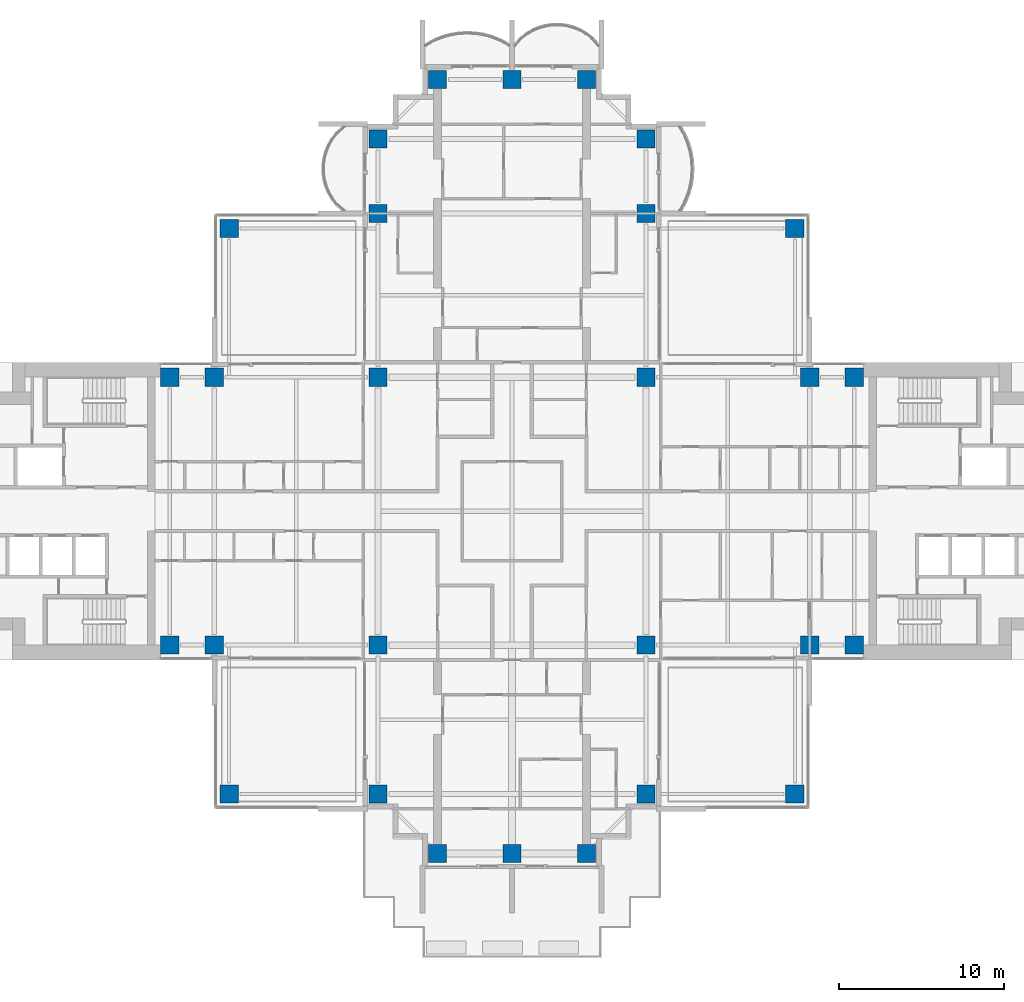
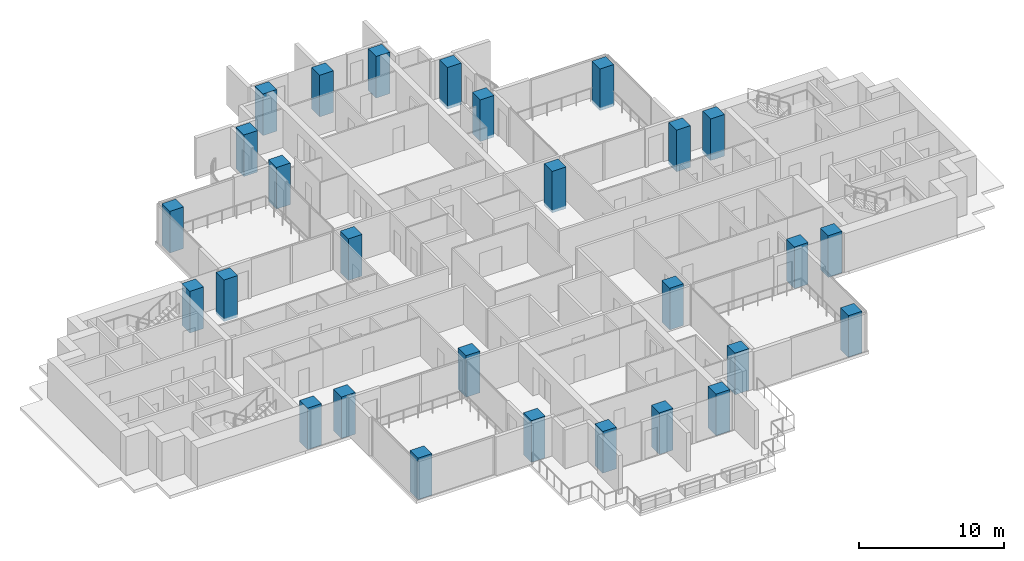
# One storey, part 1 of 20: 28 columns.
"""IFC4 building model written with IfcOpenShell, lengths in metres."""

import ifcopenshell
import ifcopenshell.guid

model = None  # the IFC model being written
_history = None  # IfcOwnerHistory: only IFC2X3 demands one
_inside = {}  # id of a spatial element -> (the spatial element, [elements in it])
_under = {}  # id of a project, library or spatial element -> (it, [spatial elements below it])
_declared = {}  # id of a project -> (the project, [libraries it declares])
_typed = {}  # id of a type object -> (the type object, [elements of that type])
_made_of = {}  # id of a material, layer set ... -> (it, [elements and type objects made of it])


def new_model(schema):
    """Start an empty IFC model of exactly this schema.

    Asked for "IFC4X3", IfcOpenShell would pick the latest addendum, in which some entities
    have other attributes; the version numbers below select the first issue.
    IFC2X3 requires an IfcOwnerHistory on every rooted entity: one is made here for all.
    """
    global model, _history
    if schema == "IFC4X3":
        model = ifcopenshell.file(schema_version=(4, 3, 0, 0))
    else:
        model = ifcopenshell.file(schema=schema)
    _inside.clear()
    _under.clear()
    _declared.clear()
    _typed.clear()
    _made_of.clear()
    _history = None
    if model.schema == "IFC2X3":
        org = make("IfcOrganization", Name="unknown")
        user = make(
            "IfcPersonAndOrganization",
            ThePerson=make("IfcPerson", FamilyName="unknown"),
            TheOrganization=org,
        )
        app = make(
            "IfcApplication",
            ApplicationDeveloper=org,
            Version="unknown",
            ApplicationFullName="unknown",
            ApplicationIdentifier="unknown",
        )
        _history = make(
            "IfcOwnerHistory",
            OwningUser=user,
            OwningApplication=app,
            ChangeAction="ADDED",
            CreationDate=0,
        )
    return model


def make(cls, **values):
    """One entity of the class cls with the attributes given. An attribute that is None is left unset."""
    return model.create_entity(
        cls, **{name: value for name, value in values.items() if value is not None}
    )


def rooted(cls, **values):
    """An entity with a GlobalId (a new one), such as an element, a storey or a relation."""
    return make(cls, GlobalId=ifcopenshell.guid.new(), OwnerHistory=_history, **values)


def si_unit(unit_type, name, prefix=None):
    """IfcSIUnit, for example si_unit("LENGTHUNIT", "METRE", prefix="MILLI")."""
    return make("IfcSIUnit", UnitType=unit_type, Prefix=prefix, Name=name)


def assignment(units):
    """IfcUnitAssignment: the units of a project."""
    return None if units is None else make("IfcUnitAssignment", Units=units)


def point(xyz):
    """IfcCartesianPoint."""
    return None if xyz is None else make("IfcCartesianPoint", Coordinates=xyz)


def direction(xyz):
    """IfcDirection."""
    return None if xyz is None else make("IfcDirection", DirectionRatios=xyz)


def frame(location, z_axis=None, x_axis=None):
    """IfcAxis2Placement3D, a coordinate frame: its origin and axes. An axis left out is left unset."""
    return make(
        "IfcAxis2Placement3D",
        Location=point(location),
        Axis=direction(z_axis),
        RefDirection=direction(x_axis),
    )


def frame_2d(location, x_axis=None):
    """IfcAxis2Placement2D, a coordinate frame in the plane: its origin and x axis."""
    return make(
        "IfcAxis2Placement2D", Location=point(location), RefDirection=direction(x_axis)
    )


def origin():
    """The frame at (0, 0, 0) with its axes left unset."""
    return frame((0.0, 0.0, 0.0))


def origin_2d():
    """The frame at (0, 0) in the plane with its x axis left unset."""
    return frame_2d((0.0, 0.0))


def place(relative_to, where):
    """IfcLocalPlacement: puts the frame where relative to a parent placement (None: the world)."""
    return make(
        "IfcLocalPlacement", PlacementRelTo=relative_to, RelativePlacement=where
    )


def context(
    kind, dimensions, precision=None, world=None, true_north=None, identifier=None
):
    """IfcGeometricRepresentationContext, for example the 3D "Model" context."""
    return make(
        "IfcGeometricRepresentationContext",
        ContextIdentifier=identifier,
        ContextType=kind,
        CoordinateSpaceDimension=dimensions,
        Precision=precision,
        WorldCoordinateSystem=world,
        TrueNorth=true_north,
    )


def subcontext(parent, identifier, kind, view, scale=None):
    """IfcGeometricRepresentationSubContext, for example "Body" below "Model"."""
    return make(
        "IfcGeometricRepresentationSubContext",
        ContextIdentifier=identifier,
        ContextType=kind,
        ParentContext=parent,
        TargetScale=scale,
        TargetView=view,
    )


def project(units=None, contexts=None):
    """IfcProject with its units and contexts."""
    return rooted(
        "IfcProject",
        Name="project",
        RepresentationContexts=contexts,
        UnitsInContext=assignment(units),
    )


def spatial(cls, under=None, at=None, **own):
    """A site, building, storey or space (cls), placed at a placement, below another one or the project."""
    s = rooted(cls, ObjectPlacement=at, **own)
    if under is not None:
        _under.setdefault(under.id(), (under, []))[1].append(s)
    return s


def profile(cls, at=None, kind="AREA", **sizes):
    """A parametric profile (cls). Its sizes go by their IFC names, for example OverallWidth=200.0."""
    return make(cls, ProfileType=kind, Position=at, **sizes)


def rectangle(**sizes):
    """IfcRectangleProfileDef."""
    return profile("IfcRectangleProfileDef", **sizes)


def extrude(swept, where, along, depth):
    """IfcExtrudedAreaSolid: the profile swept, set in the frame where, extruded along a direction by depth."""
    return make(
        "IfcExtrudedAreaSolid",
        SweptArea=swept,
        Position=where,
        ExtrudedDirection=direction(along),
        Depth=depth,
    )


def shape(context_of_items, identifier, shape_type, items):
    """IfcShapeRepresentation: the items that make up one representation, for example the "Body"."""
    return make(
        "IfcShapeRepresentation",
        ContextOfItems=context_of_items,
        RepresentationIdentifier=identifier,
        RepresentationType=shape_type,
        Items=items,
    )


def material(Name=None, Category=None):
    """IfcMaterial."""
    return make("IfcMaterial", Name=Name, Category=Category)


def material_profile(
    of_material, cross_section, Name=None, Category=None, Priority=None
):
    """IfcMaterialProfile: a cross section and its material."""
    return make(
        "IfcMaterialProfile",
        Name=Name,
        Material=of_material,
        Profile=cross_section,
        Priority=Priority,
        Category=Category,
    )


def profile_set(profiles, Name=None, composite=None):
    """IfcMaterialProfileSet."""
    return make(
        "IfcMaterialProfileSet",
        Name=Name,
        MaterialProfiles=profiles,
        CompositeProfile=composite,
    )


def made_of(thing, what):
    """Note that an element or type object is made of a material, layer set ...; save() writes the relation."""
    if what is not None:
        _made_of.setdefault(what.id(), (what, []))[1].append(thing)
    return thing


def type_object(cls, material=None, **own):
    """A type object (cls), such as IfcWallType, which elements share."""
    return made_of(rooted(cls, **own), material)


def element(
    cls,
    number,
    at=None,
    inside=None,
    cuts=None,
    type_object=None,
    material=None,
    context=None,
    identifier="Body",
    shape_type=None,
    held_by="IfcProductDefinitionShape",
    body=None,
    shapes=None,
    **own,
):
    """One element of the class cls, such as IfcWall. Its Tag is "e" and its number.

    at: its placement. inside: the storey or other place that contains it. cuts: it is an
    opening in that element (IfcRelVoidsElement). A single representation is given by context,
    identifier, shape_type and body (its items); several are given by shapes. held_by: the class
    of the entity that holds the representations. save() writes the other relations.
    """
    e = rooted(cls, Tag="e%d" % number, ObjectPlacement=at, **own)
    if body is not None:
        shapes = [shape(context, identifier, shape_type, body)]
    if shapes is not None:
        e.Representation = make(held_by, Representations=shapes)
    if inside is not None:
        _inside.setdefault(inside.id(), (inside, []))[1].append(e)
    if cuts is not None:
        rooted(
            "IfcRelVoidsElement", RelatingBuildingElement=cuts, RelatedOpeningElement=e
        )
    if type_object is not None:
        _typed.setdefault(type_object.id(), (type_object, []))[1].append(e)
    return made_of(e, material)


def aggregate(whole, parts):
    """IfcRelAggregates: a whole, such as a stair, and the parts it consists of."""
    return rooted("IfcRelAggregates", RelatingObject=whole, RelatedObjects=parts)


def save(model, path):
    """Write the relations noted so far, then the file.

    IfcRelAggregates (storeys below a building ...), IfcRelContainedInSpatialStructure (elements
    in a storey), IfcRelDefinesByType, IfcRelAssociatesMaterial and IfcRelDeclares: one each for
    every whole, place, type object, material and project.
    """
    for whole, parts in _under.values():
        aggregate(whole, parts)
    for where, things in _inside.values():
        rooted(
            "IfcRelContainedInSpatialStructure",
            RelatedElements=things,
            RelatingStructure=where,
        )
    for kind, things in _typed.values():
        rooted("IfcRelDefinesByType", RelatedObjects=things, RelatingType=kind)
    for what, things in _made_of.values():
        rooted("IfcRelAssociatesMaterial", RelatedObjects=things, RelatingMaterial=what)
    for by, libraries in _declared.values():
        rooted("IfcRelDeclares", RelatingContext=by, RelatedDefinitions=libraries)
    model.write(path)


model = new_model("IFC4")

# Units and contexts
model_context = context("Model", 3, precision=1e-05, world=origin(), true_north=direction((0.0, 1.0)))
body_context = subcontext(model_context, "Body", "Model", "MODEL_VIEW")
ifc_project = project(units=[si_unit("LENGTHUNIT", "METRE"), si_unit("AREAUNIT", "SQUARE_METRE"), si_unit("VOLUMEUNIT", "CUBIC_METRE"), si_unit("PLANEANGLEUNIT", "RADIAN"), si_unit("MASSUNIT", "GRAM", prefix="KILO")], contexts=[model_context])

# Site, building, storey
site_placement = place(None, origin())
site = spatial("IfcSite", under=ifc_project, at=site_placement, CompositionType="ELEMENT")
building_placement = place(site_placement, origin())
building = spatial("IfcBuilding", under=site, at=building_placement, Name="Perihelion Cross Residences", CompositionType="ELEMENT")
storey_placement = place(building_placement, frame((0.0, 0.0, 102.39990234375)))
storey = spatial("IfcBuildingStorey", under=building, at=storey_placement, Name="L23", CompositionType="ELEMENT", Elevation=102.39990234375)

# Columns
ifc_material = material(Name="Concrete C60/75", Category="concrete")
ifc_material_profile = material_profile(ifc_material, rectangle(XDim=1.10009765625, YDim=1.10009765625, at=origin_2d()), Name="RC 1100x1100")
ifc_profile_set = profile_set([ifc_material_profile], Name="Concrete C60/75")
column_type = type_object("IfcColumnType", Name="Reinforced concrete column 1100x1100 C60/75", PredefinedType="COLUMN", material=ifc_profile_set)
for number, where, z_axis, x_axis, name in (
    (1, (-20.699951171875, -8.10009765625, -0.25), (0.0, 0.0, 1.0), (1.0, 0.0, 0.0), "Column C017 L23 no. 1"),
    (2, (-20.699951171875, 8.10009765625, -0.25), (0.0, 0.0, 1.0), (1.0, 0.0, 0.0), "Column C010 L23 no. 1"),
    (3, (-18.0, -8.10009765625, -0.25), (0.0, 0.0, 1.0), (1.0, 0.0, 0.0), "Column C018 L23 no. 1"),
    (4, (-18.0, 8.10009765625, -0.25), (0.0, 0.0, 1.0), (1.0, 0.0, 0.0), "Column C011 L23 no. 1"),
    (5, (-8.10009765625, -17.10009765625, -0.25), (0.0, 0.0, 1.0), (1.0, 0.0, 0.0), "Column C031 L23 no. 1"),
    (6, (-8.10009765625, -8.10009765625, -0.25), (0.0, 0.0, 1.0), (1.0, 0.0, 0.0), "Column C019 L23 no. 1"),
    (7, (-8.10009765625, 8.10009765625, -0.25), (0.0, 0.0, 1.0), (1.0, 0.0, 0.0), "Column C012 L23 no. 1"),
    (8, (-8.10009765625, 18.0, -0.25), (0.0, 0.0, 1.0), (1.0, 0.0, 0.0), "Column C006 L23 no. 1"),
    (9, (-8.10009765625, 22.5, -0.25), (0.0, 0.0, 1.0), (1.0, 0.0, 0.0), "Column C004 L23 no. 1"),
    (10, (-4.5, -20.699951171875, -0.25), (0.0, 0.0, 1.0), (1.0, 0.0, 0.0), "Column C037 L23 no. 1"),
    (11, (-4.5, 26.10009765625, -0.25), (0.0, 0.0, 1.0), (1.0, 0.0, 0.0), "Column C001 L23 no. 1"),
    (12, (0.0, -20.699951171875, -0.25), (0.0, 0.0, 1.0), (1.0, 0.0, 0.0), "Column C038 L23 no. 1"),
    (13, (0.0, 26.10009765625, -0.25), (0.0, 0.0, 1.0), (1.0, 0.0, 0.0), "Column C002 L23 no. 1"),
    (14, (4.5, -20.699951171875, -0.25), (0.0, 0.0, 1.0), (1.0, 0.0, 0.0), "Column C039 L23 no. 1"),
    (15, (4.5, 26.10009765625, -0.25), (0.0, 0.0, 1.0), (1.0, 0.0, 0.0), "Column C003 L23 no. 1"),
    (16, (8.10009765625, -17.10009765625, -0.25), (0.0, 0.0, 1.0), (1.0, 0.0, 0.0), "Column C035 L23 no. 1"),
    (17, (8.10009765625, -8.10009765625, -0.25), (0.0, 0.0, 1.0), (1.0, 0.0, 0.0), "Column C020 L23 no. 1"),
    (18, (8.10009765625, 8.10009765625, -0.25), (0.0, 0.0, 1.0), (1.0, 0.0, 0.0), "Column C014 L23 no. 1"),
    (19, (8.10009765625, 18.0, -0.25), (0.0, 0.0, 1.0), (1.0, 0.0, 0.0), "Column C007 L23 no. 1"),
    (20, (8.10009765625, 22.5, -0.25), (0.0, 0.0, 1.0), (1.0, 0.0, 0.0), "Column C005 L23 no. 1"),
    (21, (18.0, -8.10009765625, -0.25), (0.0, 0.0, 1.0), (1.0, 0.0, 0.0), "Column C021 L23 no. 1"),
    (22, (18.0, 8.10009765625, -0.25), (0.0, 0.0, 1.0), (1.0, 0.0, 0.0), "Column C015 L23 no. 1"),
    (23, (20.699951171875, -8.10009765625, -0.25), (0.0, 0.0, 1.0), (1.0, 0.0, 0.0), "Column C022 L23 no. 1"),
    (24, (20.699951171875, 8.10009765625, -0.25), (0.0, 0.0, 1.0), (1.0, 0.0, 0.0), "Column C016 L23 no. 1"),
    (25, (17.10009765625, 17.10009765625, -0.25), (0.0, 0.0, 1.0), (1.0, 0.0, 0.0), "Column C009 L23 no. 1"),
    (26, (-17.10009765625, 17.10009765625, -0.25), (0.0, 0.0, 1.0), (1.0, 0.0, 0.0), "Column C008 L23 no. 1"),
    (27, (-17.10009765625, -17.10009765625, -0.25), (0.0, 0.0, 1.0), (1.0, 0.0, 0.0), "Column C030 L23 no. 1"),
    (28, (17.10009765625, -17.10009765625, -0.25), (0.0, 0.0, 1.0), (1.0, 0.0, 0.0), "Column C036 L23 no. 1"),
):
    element("IfcColumn", number, at=place(storey_placement, frame(where, z_axis=z_axis, x_axis=x_axis)), inside=storey, type_object=column_type, Name=name, PredefinedType="COLUMN", context=body_context, shape_type="SweptSolid", body=[
        extrude(rectangle(XDim=1.10009765625, YDim=1.10009765625, at=origin_2d()), origin(), (0.0, 0.0, 1.0), 3.5),
    ])

save(model, "model.ifc")
